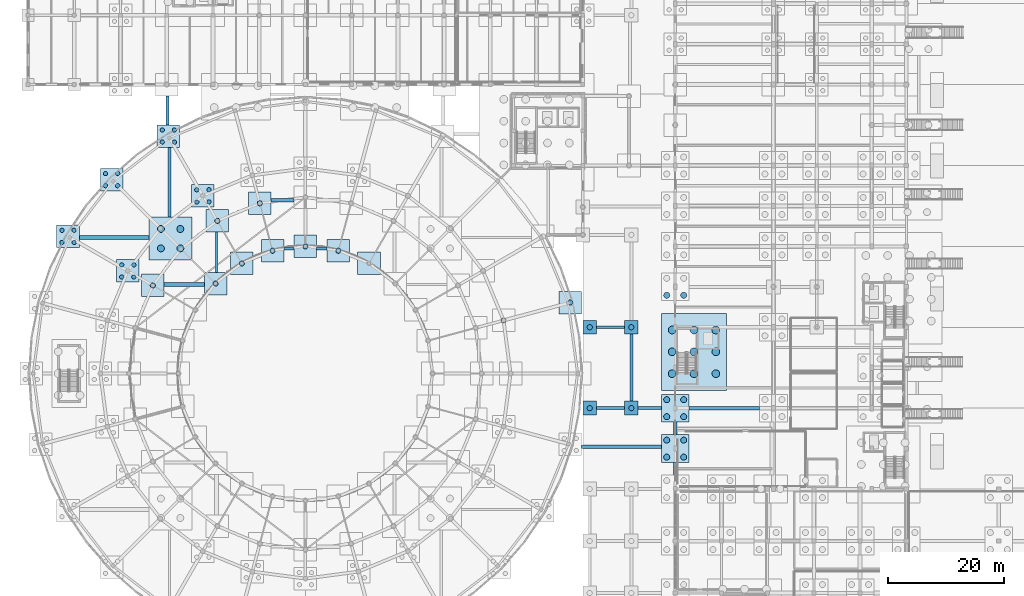
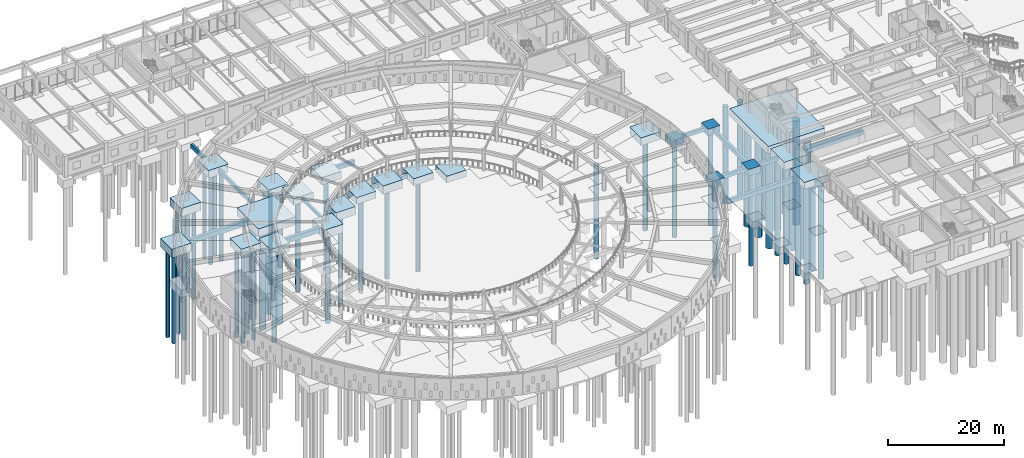
# One storey, part 4 of 84: 57 piles, 39 footings.
"""IFC4 building model written with IfcOpenShell, lengths in metres."""

from ifc_helpers import new_model, si_unit, direction, frame, origin, origin_2d, place, context, subcontext, project, spatial, rectangle, circle, extrude, material, material_profile, profile_set, type_object, element, save


model = new_model("IFC4")

# Units and contexts
model_context = context("Model", 3, precision=1e-05, world=origin(), true_north=direction((0.0, 1.0)))
body_context = subcontext(model_context, "Body", "Model", "MODEL_VIEW")
ifc_project = project(units=[si_unit("LENGTHUNIT", "METRE"), si_unit("AREAUNIT", "SQUARE_METRE"), si_unit("VOLUMEUNIT", "CUBIC_METRE"), si_unit("PLANEANGLEUNIT", "RADIAN"), si_unit("MASSUNIT", "GRAM", prefix="KILO")], contexts=[model_context])

# Site, building, storey
site_placement = place(None, origin())
site = spatial("IfcSite", under=ifc_project, at=site_placement, CompositionType="ELEMENT")
building_placement = place(site_placement, origin())
building = spatial("IfcBuilding", under=site, at=building_placement, Name="Larkveld Mobility Hub", CompositionType="ELEMENT")
storey_placement = place(building_placement, origin())
storey = spatial("IfcBuildingStorey", under=building, at=storey_placement, Name="L00", CompositionType="ELEMENT", Elevation=0.0)

# Footings
ifc_material = material(Name="Concrete C35/45", Category="concrete")
ifc_material_profile_1 = material_profile(ifc_material, rectangle(XDim=0.39990234375, YDim=0.60009765625, at=origin_2d()), Name="RC BM 400x600")
ifc_profile_set_1 = profile_set([ifc_material_profile_1], Name="Concrete C35/45")
footing_type_1 = type_object("IfcFootingType", Name="FT-FB01", PredefinedType="FOOTING_BEAM", material=ifc_profile_set_1)
footing_1_placement = place(storey_placement, frame((32.596923828125, 65.506103515625, -0.64990234375), z_axis=(0.0, 1.0, 0.0), x_axis=(-1.0, 0.0, 0.0)))
element("IfcFooting", 1, at=footing_1_placement, inside=storey, type_object=footing_type_1, Name="Ground Tie Beam GB-115", PredefinedType="FOOTING_BEAM", context=body_context, shape_type="SweptSolid", body=[
    extrude(rectangle(XDim=0.39990234375, YDim=0.60009765625, at=origin_2d()), origin(), (0.0, 0.0, 1.0), 6.9580078125),
])
ifc_material_profile_2 = material_profile(ifc_material, rectangle(XDim=0.449951171875, YDim=0.699951171875, at=origin_2d()), Name="RC BM 450x700")
ifc_profile_set_2 = profile_set([ifc_material_profile_2], Name="Concrete C35/45")
footing_type_2 = type_object("IfcFootingType", Name="FT-FB02", PredefinedType="FOOTING_BEAM", material=ifc_profile_set_2)
footing_2_placement = place(storey_placement, frame((44.256103515625, 69.625, -0.699951171875), z_axis=(1.0, 0.0, 0.0), x_axis=(0.0, 1.0, 0.0)))
element("IfcFooting", 2, at=footing_2_placement, inside=storey, type_object=footing_type_2, Name="Ground Tie Beam GB-038", PredefinedType="FOOTING_BEAM", context=body_context, shape_type="SweptSolid", body=[
    extrude(rectangle(XDim=0.449951171875, YDim=0.699951171875, at=origin_2d()), origin(), (0.0, 0.0, 1.0), 1.7939453125),
])
footing_3_placement = place(storey_placement, frame((24.470947265625, 75.052001953125, -0.699951171875), z_axis=(0.0, 1.0, 0.0), x_axis=(-1.0, 0.0, 0.0)))
element("IfcFooting", 3, at=footing_3_placement, inside=storey, type_object=footing_type_2, Name="Ground Tie Beam GB-110", PredefinedType="FOOTING_BEAM", context=body_context, shape_type="SweptSolid", body=[
    extrude(rectangle(XDim=0.449951171875, YDim=0.699951171875, at=origin_2d()), origin(), (0.0, 0.0, 1.0), 12.091064453125),
])
ifc_material_profile_3 = material_profile(ifc_material, rectangle(XDim=0.5, YDim=0.800048828125, at=origin_2d()), Name="RC BM 500x800")
ifc_profile_set_3 = profile_set([ifc_material_profile_3], Name="Concrete C35/45")
footing_type_3 = type_object("IfcFootingType", Name="FT-FB03", PredefinedType="FOOTING_BEAM", material=ifc_profile_set_3)
footing_4_placement = place(storey_placement, frame((49.949951171875, 69.625, -0.75), z_axis=(1.0, 0.0, 0.0), x_axis=(0.0, 1.0, 0.0)))
element("IfcFooting", 4, at=footing_4_placement, inside=storey, type_object=footing_type_3, Name="Ground Tie Beam GB-039", PredefinedType="FOOTING_BEAM", context=body_context, shape_type="SweptSolid", body=[
    extrude(rectangle(XDim=0.5, YDim=0.800048828125, at=origin_2d()), origin(), (0.0, 0.0, 1.0), 1.7939453125),
])
footing_5_placement = place(storey_placement, frame((24.136962890625, 91.04296875, -0.75), z_axis=(0.0, 1.0, 0.0), x_axis=(-1.0, 0.0, 0.0)))
element("IfcFooting", 5, at=footing_5_placement, inside=storey, type_object=footing_type_3, Name="Ground Tie Beam GB-111", PredefinedType="FOOTING_BEAM", context=body_context, shape_type="SweptSolid", body=[
    extrude(rectangle(XDim=0.5, YDim=0.800048828125, at=origin_2d()), origin(), (0.0, 0.0, 1.0), 5.007080078125),
])
footing_6_placement = place(storey_placement, frame((98.39990234375, 42.0, -0.580078125), z_axis=(1.0, 0.0, 0.0), x_axis=(0.0, 1.0, 0.0)))
element("IfcFooting", 6, at=footing_6_placement, inside=storey, type_object=footing_type_3, Name="Passage Ground Tie Beam PGB-008", PredefinedType="FOOTING_BEAM", context=body_context, shape_type="SweptSolid", body=[
    extrude(rectangle(XDim=0.5, YDim=0.800048828125, at=origin_2d()), origin(), (0.0, 0.0, 1.0), 4.800048828125),
])
footing_7_placement = place(storey_placement, frame((105.60009765625, 42.0, -0.580078125), z_axis=(1.0, 0.0, 0.0), x_axis=(0.0, 1.0, 0.0)))
element("IfcFooting", 7, at=footing_7_placement, inside=storey, type_object=footing_type_3, Name="Passage Ground Tie Beam PGB-009", PredefinedType="FOOTING_BEAM", context=body_context, shape_type="SweptSolid", body=[
    extrude(rectangle(XDim=0.5, YDim=0.800048828125, at=origin_2d()), origin(), (0.0, 0.0, 1.0), 4.0),
])
footing_8_placement = place(storey_placement, frame((98.39990234375, 56.0, -0.580078125), z_axis=(1.0, 0.0, 0.0), x_axis=(0.0, 1.0, 0.0)))
element("IfcFooting", 8, at=footing_8_placement, inside=storey, type_object=footing_type_3, Name="Passage Ground Tie Beam PGB-010", PredefinedType="FOOTING_BEAM", context=body_context, shape_type="SweptSolid", body=[
    extrude(rectangle(XDim=0.5, YDim=0.800048828125, at=origin_2d()), origin(), (0.0, 0.0, 1.0), 4.800048828125),
])
footing_9_placement = place(storey_placement, frame((104.39990234375, 43.199951171875, -0.580078125), z_axis=(0.0, 1.0, 0.0), x_axis=(-1.0, 0.0, 0.0)))
element("IfcFooting", 9, at=footing_9_placement, inside=storey, type_object=footing_type_3, Name="Passage Ground Tie Beam PGB-026", PredefinedType="FOOTING_BEAM", context=body_context, shape_type="SweptSolid", body=[
    extrude(rectangle(XDim=0.5, YDim=0.800048828125, at=origin_2d()), origin(), (0.0, 0.0, 1.0), 11.60009765625),
])
ifc_material_profile_4 = material_profile(ifc_material, rectangle(XDim=0.60009765625, YDim=0.89990234375, at=origin_2d()), Name="RC BM 600x900")
ifc_profile_set_4 = profile_set([ifc_material_profile_4], Name="Concrete C35/45")
footing_type_4 = type_object("IfcFootingType", Name="FT-FB05", PredefinedType="FOOTING_BEAM", material=ifc_profile_set_4)
footing_10_placement = place(storey_placement, frame((95.782958984375, 35.35888671875, -0.800048828125), z_axis=(1.0, 0.0, 0.0), x_axis=(0.0, 1.0, 0.0)))
element("IfcFooting", 10, at=footing_10_placement, inside=storey, type_object=footing_type_4, Name="Ground Tie Beam GB-029", PredefinedType="FOOTING_BEAM", context=body_context, shape_type="SweptSolid", body=[
    extrude(rectangle(XDim=0.60009765625, YDim=0.89990234375, at=origin_2d()), origin(), (0.0, 0.0, 1.0), 13.817138671875),
])
footing_11_placement = place(storey_placement, frame((42.055908203125, 77.98095703125, -0.800048828125), z_axis=(1.0, 0.0, 0.0), x_axis=(0.0, 1.0, 0.0)))
element("IfcFooting", 11, at=footing_11_placement, inside=storey, type_object=footing_type_4, Name="Ground Tie Beam GB-047", PredefinedType="FOOTING_BEAM", context=body_context, shape_type="SweptSolid", body=[
    extrude(rectangle(XDim=0.60009765625, YDim=0.89990234375, at=origin_2d()), origin(), (0.0, 0.0, 1.0), 3.994140625),
])
footing_12_placement = place(storey_placement, frame((112.0, 30.39990234375, -0.800048828125), z_axis=(0.0, 1.0, 0.0), x_axis=(-1.0, 0.0, 0.0)))
element("IfcFooting", 12, at=footing_12_placement, inside=storey, type_object=footing_type_4, Name="Ground Tie Beam GB-143", PredefinedType="FOOTING_BEAM", context=body_context, shape_type="SweptSolid", body=[
    extrude(rectangle(XDim=0.60009765625, YDim=0.89990234375, at=origin_2d()), origin(), (0.0, 0.0, 1.0), 2.2001953125),
])
ifc_material_profile_5 = material_profile(ifc_material, rectangle(XDim=0.64990234375, YDim=1.0, at=origin_2d()), Name="RC BM 650x1000")
ifc_profile_set_5 = profile_set([ifc_material_profile_5], Name="Concrete C35/45")
footing_type_5 = type_object("IfcFootingType", Name="FT-FB06", PredefinedType="FOOTING_BEAM", material=ifc_profile_set_5)
footing_13_placement = place(storey_placement, frame((114.39990234375, 42.0, -0.85009765625), z_axis=(1.0, 0.0, 0.0), x_axis=(0.0, 1.0, 0.0)))
element("IfcFooting", 13, at=footing_13_placement, inside=storey, type_object=footing_type_5, Name="Ground Tie Beam GB-030", PredefinedType="FOOTING_BEAM", context=body_context, shape_type="SweptSolid", body=[
    extrude(rectangle(XDim=0.64990234375, YDim=1.0, at=origin_2d()), origin(), (0.0, 0.0, 1.0), 12.2001953125),
])
footing_14_placement = place(storey_placement, frame((23.535888671875, 63.403076171875, -0.85009765625), z_axis=(1.0, 0.0, 0.0), x_axis=(0.0, 1.0, 0.0)))
element("IfcFooting", 14, at=footing_14_placement, inside=storey, type_object=footing_type_5, Name="Ground Tie Beam GB-036", PredefinedType="FOOTING_BEAM", context=body_context, shape_type="SweptSolid", body=[
    extrude(rectangle(XDim=0.64990234375, YDim=1.0, at=origin_2d()), origin(), (0.0, 0.0, 1.0), 6.9580078125),
])
footing_15_placement = place(storey_placement, frame((8.85693359375, 71.529052734375, -0.85009765625), z_axis=(1.0, 0.0, 0.0), x_axis=(0.0, 1.0, 0.0)))
element("IfcFooting", 15, at=footing_15_placement, inside=storey, type_object=footing_type_5, Name="Ground Tie Beam GB-042", PredefinedType="FOOTING_BEAM", context=body_context, shape_type="SweptSolid", body=[
    extrude(rectangle(XDim=0.64990234375, YDim=1.0, at=origin_2d()), origin(), (0.0, 0.0, 1.0), 12.091064453125),
])
footing_16_placement = place(storey_placement, frame((112.0, 37.39990234375, -0.85009765625), z_axis=(0.0, 1.0, 0.0), x_axis=(-1.0, 0.0, 0.0)))
element("IfcFooting", 16, at=footing_16_placement, inside=storey, type_object=footing_type_5, Name="Ground Tie Beam GB-144", PredefinedType="FOOTING_BEAM", context=body_context, shape_type="SweptSolid", body=[
    extrude(rectangle(XDim=0.64990234375, YDim=1.0, at=origin_2d()), origin(), (0.0, 0.0, 1.0), 2.2001953125),
])
footing_type_6 = type_object("IfcFootingType", Name="FT-PC01", PredefinedType="PILE_CAP", material=ifc_material)
footing_17_placement = place(storey_placement, frame((59.0, 67.052978515625, -1.39990234375), z_axis=(0.0, 0.0, 1.0), x_axis=(1.0, 0.0, 0.0)))
element("IfcFooting", 17, at=footing_17_placement, inside=storey, type_object=footing_type_6, Name="Pile Cap PC-113", PredefinedType="PILE_CAP", context=body_context, shape_type="SweptSolid", body=[
    extrude(rectangle(XDim=3.89990234375, YDim=3.89990234375, at=origin_2d()), origin(), (0.0, 0.0, 1.0), 1.39990234375),
])
footing_type_7 = type_object("IfcFootingType", Name="FT-PC02", PredefinedType="PILE_CAP", material=ifc_material)
footing_18_placement = place(storey_placement, frame((42.305908203125, 69.25, -1.4501953125), z_axis=(0.0, 0.0, 1.0), x_axis=(1.0, 0.0, 0.0)))
element("IfcFooting", 18, at=footing_18_placement, inside=storey, type_object=footing_type_7, Name="Pile Cap PC-114", PredefinedType="PILE_CAP", context=body_context, shape_type="SweptSolid", body=[
    extrude(rectangle(XDim=3.89990234375, YDim=3.89990234375, at=origin_2d()), origin(), (0.0, 0.0, 1.0), 1.449951171875),
])
footing_type_8 = type_object("IfcFootingType", Name="FT-PC03", PredefinedType="PILE_CAP", material=ifc_material)
footing_19_placement = place(storey_placement, frame((53.694091796875, 69.25, -1.5), z_axis=(0.0, 0.0, 1.0), x_axis=(1.0, 0.0, 0.0)))
element("IfcFooting", 19, at=footing_19_placement, inside=storey, type_object=footing_type_8, Name="Pile Cap PC-115", PredefinedType="PILE_CAP", context=body_context, shape_type="SweptSolid", body=[
    extrude(rectangle(XDim=3.89990234375, YDim=3.89990234375, at=origin_2d()), origin(), (0.0, 0.0, 1.0), 1.5),
])
footing_type_9 = type_object("IfcFootingType", Name="FT-PC04", PredefinedType="PILE_CAP", material=ifc_material)
footing_20_placement = place(storey_placement, frame((40.10595703125, 77.4609375, -1.5498046875), z_axis=(0.0, 0.0, 1.0), x_axis=(1.0, 0.0, 0.0)))
element("IfcFooting", 20, at=footing_20_placement, inside=storey, type_object=footing_type_9, Name="Pile Cap PC-132", PredefinedType="PILE_CAP", context=body_context, shape_type="SweptSolid", body=[
    extrude(rectangle(XDim=3.89990234375, YDim=3.89990234375, at=origin_2d()), origin(), (0.0, 0.0, 1.0), 1.550048828125),
])
footing_type_10 = type_object("IfcFootingType", Name="FT-PC06", PredefinedType="PILE_CAP", material=ifc_material)
footing_21_placement = place(storey_placement, frame((24.27490234375, 89.093017578125, -1.60009765625), z_axis=(0.0, 0.0, 1.0), x_axis=(1.0, 0.0, 0.0)))
element("IfcFooting", 21, at=footing_21_placement, inside=storey, type_object=footing_type_10, Name="Pile Cap PC-150", PredefinedType="PILE_CAP", context=body_context, shape_type="SweptSolid", body=[
    extrude(rectangle(XDim=3.89990234375, YDim=3.89990234375, at=origin_2d()), origin(), (0.0, 0.0, 1.0), 1.60009765625),
])
footing_type_11 = type_object("IfcFootingType", Name="FT-PC07", PredefinedType="PILE_CAP", material=ifc_material)
footing_22_placement = place(storey_placement, frame((93.8330078125, 60.281005859375, -1.64990234375), z_axis=(0.0, 0.0, 1.0), x_axis=(1.0, 0.0, 0.0)))
element("IfcFooting", 22, at=footing_22_placement, inside=storey, type_object=footing_type_11, Name="Pile Cap PC-103", PredefinedType="PILE_CAP", context=body_context, shape_type="SweptSolid", body=[
    extrude(rectangle(XDim=3.89990234375, YDim=3.89990234375, at=origin_2d()), origin(), (0.0, 0.0, 1.0), 1.64990234375),
])
footing_23_placement = place(storey_placement, frame((24.666015625, 71.333984375, -1.64990234375), z_axis=(0.0, 0.0, 1.0), x_axis=(1.0, 0.0, 0.0)))
element("IfcFooting", 23, at=footing_23_placement, inside=storey, type_object=footing_type_11, Name="Pile Cap PC-119", PredefinedType="PILE_CAP", context=body_context, shape_type="SweptSolid", body=[
    extrude(rectangle(XDim=7.43505859375, YDim=7.43505859375, at=origin_2d()), origin(), (0.0, 0.0, 1.0), 1.64990234375),
])
footing_type_12 = type_object("IfcFootingType", Name="FT-PC08", PredefinedType="PILE_CAP", material=ifc_material)
footing_24_placement = place(storey_placement, frame((112.0, 42.0, -1.7001953125), z_axis=(0.0, 0.0, 1.0), x_axis=(1.0, 0.0, 0.0)))
element("IfcFooting", 24, at=footing_24_placement, inside=storey, type_object=footing_type_12, Name="Pile Cap PC-072", PredefinedType="PILE_CAP", context=body_context, shape_type="SweptSolid", body=[
    extrude(rectangle(XDim=4.800048828125, YDim=4.800048828125, at=origin_2d()), origin(), (0.0, 0.0, 1.0), 1.699951171875),
])
footing_25_placement = place(storey_placement, frame((30.25, 78.743896484375, -1.7001953125), z_axis=(0.0, 0.0, 1.0), x_axis=(1.0, 0.0, 0.0)))
element("IfcFooting", 25, at=footing_25_placement, inside=storey, type_object=footing_type_12, Name="Pile Cap PC-136", PredefinedType="PILE_CAP", context=body_context, shape_type="SweptSolid", body=[
    extrude(rectangle(XDim=3.89990234375, YDim=3.89990234375, at=origin_2d()), origin(), (0.0, 0.0, 1.0), 1.699951171875),
])
footing_type_13 = type_object("IfcFootingType", Name="FT-PC09", PredefinedType="PILE_CAP", material=ifc_material)
for number, where, z_axis, x_axis, name in (
    (26, (21.5859375, 63.25, -1.75), (0.0, 0.0, 1.0), (1.0, 0.0, 0.0), "Pile Cap PC-105"),
    (27, (48.0, 70.0, -1.75), (0.0, 0.0, 1.0), (1.0, 0.0, 0.0), "Pile Cap PC-121"),
):
    element("IfcFooting", number, at=place(storey_placement, frame(where, z_axis=z_axis, x_axis=x_axis)), inside=storey, type_object=footing_type_13, Name=name, PredefinedType="PILE_CAP", context=body_context, shape_type="SweptSolid", body=[
        extrude(rectangle(XDim=3.89990234375, YDim=3.89990234375, at=origin_2d()), origin(), (0.0, 0.0, 1.0), 1.75),
    ])
footing_type_14 = type_object("IfcFootingType", Name="FT-PC10", PredefinedType="PILE_CAP", material=ifc_material)
footing_26_placement = place(storey_placement, frame((14.447998046875, 81.552001953125, -1.75), z_axis=(0.0, 0.0, 1.0), x_axis=(1.0, 0.0, 0.0)))
element("IfcFooting", 28, at=footing_26_placement, inside=storey, type_object=footing_type_14, Name="Pile Cap PC-138", PredefinedType="PILE_CAP", context=body_context, shape_type="SweptSolid", body=[
    extrude(rectangle(XDim=3.89990234375, YDim=3.89990234375, at=origin_2d()), origin(), (0.0, 0.0, 1.0), 1.75),
])
footing_type_15 = type_object("IfcFootingType", Name="FT-PC11", PredefinedType="PILE_CAP", material=ifc_material)
for number, where, z_axis, x_axis, name in (
    (29, (32.444091796875, 63.555908203125, -1.7998046875), (0.0, 0.0, 1.0), (1.0, 0.0, 0.0), "Pile Cap PC-107"),
    (30, (6.906982421875, 71.72509765625, -1.7998046875), (0.0, 0.0, 1.0), (1.0, 0.0, 0.0), "Pile Cap PC-123"),
):
    element("IfcFooting", number, at=place(storey_placement, frame(where, z_axis=z_axis, x_axis=x_axis)), inside=storey, type_object=footing_type_15, Name=name, PredefinedType="PILE_CAP", context=body_context, shape_type="SweptSolid", body=[
        extrude(rectangle(XDim=3.89990234375, YDim=3.89990234375, at=origin_2d()), origin(), (0.0, 0.0, 1.0), 1.800048828125),
    ])
footing_type_16 = type_object("IfcFootingType", Name="FT-PC13", PredefinedType="PILE_CAP", material=ifc_material)
footing_27_placement = place(storey_placement, frame((112.0, 35.0, -1.419921875), z_axis=(0.0, 0.0, 1.0), x_axis=(1.0, 0.0, 0.0)))
element("IfcFooting", 31, at=footing_27_placement, inside=storey, type_object=footing_type_16, Name="Pile Cap PC-061", PredefinedType="PILE_CAP", context=body_context, shape_type="SweptSolid", body=[
    extrude(rectangle(XDim=4.800048828125, YDim=4.800048828125, at=origin_2d()), origin(), (0.0, 0.0, 1.0), 1.419921875),
])
footing_28_placement = place(storey_placement, frame((32.75, 74.4140625, -1.419921875), z_axis=(0.0, 0.0, 1.0), x_axis=(1.0, 0.0, 0.0)))
element("IfcFooting", 32, at=footing_28_placement, inside=storey, type_object=footing_type_16, Name="Pile Cap PC-125", PredefinedType="PILE_CAP", context=body_context, shape_type="SweptSolid", body=[
    extrude(rectangle(XDim=3.89990234375, YDim=3.89990234375, at=origin_2d()), origin(), (0.0, 0.0, 1.0), 1.419921875),
])
for number, where, z_axis, x_axis, name in (
    (33, (97.199951171875, 42.0, -1.419921875), (0.0, 0.0, 1.0), (1.0, 0.0, 0.0), "Plinth Pile Cap PC-DL14"),
    (34, (104.39990234375, 42.0, -1.419921875), (0.0, 0.0, 1.0), (1.0, 0.0, 0.0), "Plinth Pile Cap PC-DL15"),
    (35, (97.199951171875, 56.0, -1.419921875), (0.0, 0.0, 1.0), (1.0, 0.0, 0.0), "Plinth Pile Cap PC-DL16"),
    (36, (104.39990234375, 56.0, -1.419921875), (0.0, 0.0, 1.0), (1.0, 0.0, 0.0), "Plinth Pile Cap PC-DL17"),
):
    element("IfcFooting", number, at=place(storey_placement, frame(where, z_axis=z_axis, x_axis=x_axis)), inside=storey, type_object=footing_type_16, Name=name, PredefinedType="PILE_CAP", context=body_context, shape_type="SweptSolid", body=[
        extrude(rectangle(XDim=2.39990234375, YDim=2.39990234375, at=origin_2d()), origin(), (0.0, 0.0, 1.0), 1.419921875),
    ])
footing_type_17 = type_object("IfcFootingType", Name="FT-PC14", PredefinedType="PILE_CAP", material=ifc_material)
footing_29_placement = place(storey_placement, frame((17.256103515625, 65.75, -1.47998046875), z_axis=(0.0, 0.0, 1.0), x_axis=(1.0, 0.0, 0.0)))
element("IfcFooting", 37, at=footing_29_placement, inside=storey, type_object=footing_type_17, Name="Pile Cap PC-110", PredefinedType="PILE_CAP", context=body_context, shape_type="SweptSolid", body=[
    extrude(rectangle(XDim=3.89990234375, YDim=3.89990234375, at=origin_2d()), origin(), (0.0, 0.0, 1.0), 1.47998046875),
])
footing_type_18 = type_object("IfcFootingType", Name="FT-PC15", PredefinedType="PILE_CAP", material=ifc_material)
footing_30_placement = place(storey_placement, frame((115.25, 51.75, -1.6201171875), z_axis=(0.0, 0.0, 1.0), x_axis=(1.0, 0.0, 0.0)))
element("IfcFooting", 38, at=footing_30_placement, inside=storey, type_object=footing_type_18, Name="Pile Cap PC-079", PredefinedType="PILE_CAP", context=body_context, shape_type="SweptSolid", body=[
    extrude(rectangle(XDim=11.300048828125, YDim=13.300048828125, at=origin_2d()), origin(), (0.0, 0.0, 1.0), 1.6201171875),
])
footing_type_19 = type_object("IfcFootingType", Name="FT-PC16", PredefinedType="PILE_CAP", material=ifc_material)
footing_31_placement = place(storey_placement, frame((37.0, 67.052978515625, -1.72021484375), z_axis=(0.0, 0.0, 1.0), x_axis=(1.0, 0.0, 0.0)))
element("IfcFooting", 39, at=footing_31_placement, inside=storey, type_object=footing_type_19, Name="Pile Cap PC-112", PredefinedType="PILE_CAP", context=body_context, shape_type="SweptSolid", body=[
    extrude(rectangle(XDim=3.89990234375, YDim=3.89990234375, at=origin_2d()), origin(), (0.0, 0.0, 1.0), 1.719970703125),
])

# Piles
ifc_material_profile_6 = material_profile(ifc_material, circle(Radius=0.375, at=origin_2d()), Name="PILE D750")
ifc_profile_set_6 = profile_set([ifc_material_profile_6], Name="Concrete C35/45")
pile_type_1 = type_object("IfcPileType", Name="PL-B0750", PredefinedType="BORED", material=ifc_profile_set_6)
for number, where, z_axis, x_axis, name in (
    (40, (16.2060546875, 64.699951171875, -1.3798828125), (0.0, 0.0, -1.0), (1.0, 0.0, 0.0), "Bored Pile P-0319"),
    (41, (16.2060546875, 66.800048828125, -1.3798828125), (0.0, 0.0, -1.0), (1.0, 0.0, 0.0), "Bored Pile P-0320"),
    (42, (18.305908203125, 64.699951171875, -1.3798828125), (0.0, 0.0, -1.0), (1.0, 0.0, 0.0), "Bored Pile P-0321"),
    (43, (18.305908203125, 66.800048828125, -1.3798828125), (0.0, 0.0, -1.0), (1.0, 0.0, 0.0), "Bored Pile P-0322"),
):
    element("IfcPile", number, at=place(storey_placement, frame(where, z_axis=z_axis, x_axis=x_axis)), inside=storey, type_object=pile_type_1, Name=name, PredefinedType="BORED", context=body_context, shape_type="SweptSolid", body=[
        extrude(circle(Radius=0.375, at=origin_2d()), origin(), (0.0, 0.0, 1.0), 19.1201171875),
    ])
for number, where, z_axis, x_axis, name in (
    (44, (5.85693359375, 70.675048828125, -1.699951171875), (0.0, 0.0, -1.0), (1.0, 0.0, 0.0), "Bored Pile P-0350"),
    (45, (5.85693359375, 72.77490234375, -1.699951171875), (0.0, 0.0, -1.0), (1.0, 0.0, 0.0), "Bored Pile P-0351"),
    (46, (7.95703125, 70.675048828125, -1.699951171875), (0.0, 0.0, -1.0), (1.0, 0.0, 0.0), "Bored Pile P-0352"),
    (47, (7.95703125, 72.77490234375, -1.699951171875), (0.0, 0.0, -1.0), (1.0, 0.0, 0.0), "Bored Pile P-0353"),
):
    element("IfcPile", number, at=place(storey_placement, frame(where, z_axis=z_axis, x_axis=x_axis)), inside=storey, type_object=pile_type_1, Name=name, PredefinedType="BORED", context=body_context, shape_type="SweptSolid", body=[
        extrude(circle(Radius=0.375, at=origin_2d()), origin(), (0.0, 0.0, 1.0), 18.800048828125),
    ])
for number, where, z_axis, x_axis, name in (
    (48, (29.199951171875, 77.694091796875, -1.60009765625), (0.0, 0.0, -1.0), (1.0, 0.0, 0.0), "Bored Pile P-0381"),
    (49, (29.199951171875, 79.7939453125, -1.60009765625), (0.0, 0.0, -1.0), (1.0, 0.0, 0.0), "Bored Pile P-0382"),
    (50, (31.300048828125, 77.694091796875, -1.60009765625), (0.0, 0.0, -1.0), (1.0, 0.0, 0.0), "Bored Pile P-0383"),
    (51, (31.300048828125, 79.7939453125, -1.60009765625), (0.0, 0.0, -1.0), (1.0, 0.0, 0.0), "Bored Pile P-0384"),
):
    element("IfcPile", number, at=place(storey_placement, frame(where, z_axis=z_axis, x_axis=x_axis)), inside=storey, type_object=pile_type_1, Name=name, PredefinedType="BORED", context=body_context, shape_type="SweptSolid", body=[
        extrude(circle(Radius=0.375, at=origin_2d()), origin(), (0.0, 0.0, 1.0), 18.89990234375),
    ])
for number, where, z_axis, x_axis, name in (
    (52, (13.39794921875, 80.501953125, -1.64990234375), (0.0, 0.0, -1.0), (1.0, 0.0, 0.0), "Bored Pile P-0386"),
    (53, (13.39794921875, 82.60205078125, -1.64990234375), (0.0, 0.0, -1.0), (1.0, 0.0, 0.0), "Bored Pile P-0387"),
    (54, (15.498046875, 80.501953125, -1.64990234375), (0.0, 0.0, -1.0), (1.0, 0.0, 0.0), "Bored Pile P-0388"),
    (55, (15.498046875, 82.60205078125, -1.64990234375), (0.0, 0.0, -1.0), (1.0, 0.0, 0.0), "Bored Pile P-0389"),
):
    element("IfcPile", number, at=place(storey_placement, frame(where, z_axis=z_axis, x_axis=x_axis)), inside=storey, type_object=pile_type_1, Name=name, PredefinedType="BORED", context=body_context, shape_type="SweptSolid", body=[
        extrude(circle(Radius=0.375, at=origin_2d()), origin(), (0.0, 0.0, 1.0), 18.85009765625),
    ])
for number, where, z_axis, x_axis, name in (
    (56, (23.22509765625, 88.04296875, -1.5), (0.0, 0.0, -1.0), (1.0, 0.0, 0.0), "Bored Pile P-0440"),
    (57, (23.22509765625, 90.14306640625, -1.5), (0.0, 0.0, -1.0), (1.0, 0.0, 0.0), "Bored Pile P-0441"),
    (58, (25.324951171875, 88.04296875, -1.5), (0.0, 0.0, -1.0), (1.0, 0.0, 0.0), "Bored Pile P-0442"),
    (59, (25.324951171875, 90.14306640625, -1.5), (0.0, 0.0, -1.0), (1.0, 0.0, 0.0), "Bored Pile P-0443"),
):
    element("IfcPile", number, at=place(storey_placement, frame(where, z_axis=z_axis, x_axis=x_axis)), inside=storey, type_object=pile_type_1, Name=name, PredefinedType="BORED", context=body_context, shape_type="SweptSolid", body=[
        extrude(circle(Radius=0.375, at=origin_2d()), origin(), (0.0, 0.0, 1.0), 19.0),
    ])
ifc_material_profile_7 = material_profile(ifc_material, circle(Radius=0.449951171875, at=origin_2d()), Name="PILE D900")
ifc_profile_set_7 = profile_set([ifc_material_profile_7], Name="Concrete C35/45")
pile_type_2 = type_object("IfcPileType", Name="PL-B0900", PredefinedType="BORED", material=ifc_profile_set_7)
pile_1_placement = place(storey_placement, frame((82.2900390625, 57.18798828125, -1.39990234375), z_axis=(0.0, 0.0, -1.0), x_axis=(1.0, 0.0, 0.0)))
element("IfcPile", 60, at=pile_1_placement, inside=storey, type_object=pile_type_2, Name="Bored Pile P-0302", PredefinedType="BORED", context=body_context, shape_type="SweptSolid", body=[
    extrude(circle(Radius=0.449951171875, at=origin_2d()), origin(), (0.0, 0.0, 1.0), 19.800048828125),
])
pile_2_placement = place(storey_placement, frame((93.8330078125, 60.281005859375, -1.550048828125), z_axis=(0.0, 0.0, -1.0), x_axis=(1.0, 0.0, 0.0)))
element("IfcPile", 61, at=pile_2_placement, inside=storey, type_object=pile_type_2, Name="Bored Pile P-0309", PredefinedType="BORED", context=body_context, shape_type="SweptSolid", body=[
    extrude(circle(Radius=0.449951171875, at=origin_2d()), origin(), (0.0, 0.0, 1.0), 19.64990234375),
])
pile_3_placement = place(storey_placement, frame((21.5859375, 63.25, -1.64990234375), z_axis=(0.0, 0.0, -1.0), x_axis=(1.0, 0.0, 0.0)))
element("IfcPile", 62, at=pile_3_placement, inside=storey, type_object=pile_type_2, Name="Bored Pile P-0314", PredefinedType="BORED", context=body_context, shape_type="SweptSolid", body=[
    extrude(circle(Radius=0.449951171875, at=origin_2d()), origin(), (0.0, 0.0, 1.0), 19.550048828125),
])
pile_4_placement = place(storey_placement, frame((32.444091796875, 63.555908203125, -1.699951171875), z_axis=(0.0, 0.0, -1.0), x_axis=(1.0, 0.0, 0.0)))
element("IfcPile", 63, at=pile_4_placement, inside=storey, type_object=pile_type_2, Name="Bored Pile P-0316", PredefinedType="BORED", context=body_context, shape_type="SweptSolid", body=[
    extrude(circle(Radius=0.449951171875, at=origin_2d()), origin(), (0.0, 0.0, 1.0), 19.5),
])
pile_5_placement = place(storey_placement, frame((37.0, 67.052978515625, -1.6201171875), z_axis=(0.0, 0.0, -1.0), x_axis=(1.0, 0.0, 0.0)))
element("IfcPile", 64, at=pile_5_placement, inside=storey, type_object=pile_type_2, Name="Bored Pile P-0324", PredefinedType="BORED", context=body_context, shape_type="SweptSolid", body=[
    extrude(circle(Radius=0.449951171875, at=origin_2d()), origin(), (0.0, 0.0, 1.0), 19.580078125),
])
pile_6_placement = place(storey_placement, frame((42.305908203125, 69.25, -1.35009765625), z_axis=(0.0, 0.0, -1.0), x_axis=(1.0, 0.0, 0.0)))
element("IfcPile", 65, at=pile_6_placement, inside=storey, type_object=pile_type_2, Name="Bored Pile P-0326", PredefinedType="BORED", context=body_context, shape_type="SweptSolid", body=[
    extrude(circle(Radius=0.449951171875, at=origin_2d()), origin(), (0.0, 0.0, 1.0), 19.85009765625),
])
pile_7_placement = place(storey_placement, frame((53.694091796875, 69.25, -1.39990234375), z_axis=(0.0, 0.0, -1.0), x_axis=(1.0, 0.0, 0.0)))
element("IfcPile", 66, at=pile_7_placement, inside=storey, type_object=pile_type_2, Name="Bored Pile P-0327", PredefinedType="BORED", context=body_context, shape_type="SweptSolid", body=[
    extrude(circle(Radius=0.449951171875, at=origin_2d()), origin(), (0.0, 0.0, 1.0), 19.800048828125),
])
pile_8_placement = place(storey_placement, frame((48.0, 70.0, -1.64990234375), z_axis=(0.0, 0.0, -1.0), x_axis=(1.0, 0.0, 0.0)))
element("IfcPile", 67, at=pile_8_placement, inside=storey, type_object=pile_type_2, Name="Bored Pile P-0348", PredefinedType="BORED", context=body_context, shape_type="SweptSolid", body=[
    extrude(circle(Radius=0.449951171875, at=origin_2d()), origin(), (0.0, 0.0, 1.0), 19.550048828125),
])
pile_9_placement = place(storey_placement, frame((32.75, 74.4140625, -1.320068359375), z_axis=(0.0, 0.0, -1.0), x_axis=(1.0, 0.0, 0.0)))
element("IfcPile", 68, at=pile_9_placement, inside=storey, type_object=pile_type_2, Name="Bored Pile P-0355", PredefinedType="BORED", context=body_context, shape_type="SweptSolid", body=[
    extrude(circle(Radius=0.449951171875, at=origin_2d()), origin(), (0.0, 0.0, 1.0), 19.8798828125),
])
pile_10_placement = place(storey_placement, frame((40.10595703125, 77.4609375, -1.449951171875), z_axis=(0.0, 0.0, -1.0), x_axis=(1.0, 0.0, 0.0)))
element("IfcPile", 69, at=pile_10_placement, inside=storey, type_object=pile_type_2, Name="Bored Pile P-0377", PredefinedType="BORED", context=body_context, shape_type="SweptSolid", body=[
    extrude(circle(Radius=0.449951171875, at=origin_2d()), origin(), (0.0, 0.0, 1.0), 19.75),
])
for number, where, z_axis, x_axis, name in (
    (70, (97.199951171875, 42.0, -1.320068359375), (0.0, 0.0, -1.0), (1.0, 0.0, 0.0), "Bored Pile P-DL14"),
    (71, (104.39990234375, 42.0, -1.320068359375), (0.0, 0.0, -1.0), (1.0, 0.0, 0.0), "Bored Pile P-DL15"),
    (72, (97.199951171875, 56.0, -1.320068359375), (0.0, 0.0, -1.0), (1.0, 0.0, 0.0), "Bored Pile P-DL16"),
    (73, (104.39990234375, 56.0, -1.320068359375), (0.0, 0.0, -1.0), (1.0, 0.0, 0.0), "Bored Pile P-DL17"),
):
    element("IfcPile", number, at=place(storey_placement, frame(where, z_axis=z_axis, x_axis=x_axis)), inside=storey, type_object=pile_type_2, Name=name, PredefinedType="BORED", context=body_context, shape_type="SweptSolid", body=[
        extrude(circle(Radius=0.449951171875, at=origin_2d()), origin(), (0.0, 0.0, 1.0), 19.8798828125),
    ])
ifc_material_profile_8 = material_profile(ifc_material, circle(Radius=0.52490234375, at=origin_2d()), Name="PILE D1050")
ifc_profile_set_8 = profile_set([ifc_material_profile_8], Name="Concrete C35/45")
pile_type_3 = type_object("IfcPileType", Name="PL-B1050", PredefinedType="BORED", material=ifc_profile_set_8)
for number, where, z_axis, x_axis, name in (
    (74, (110.530029296875, 33.530029296875, -1.320068359375), (0.0, 0.0, -1.0), (1.0, 0.0, 0.0), "Bored Pile P-0195"),
    (75, (110.530029296875, 36.469970703125, -1.320068359375), (0.0, 0.0, -1.0), (1.0, 0.0, 0.0), "Bored Pile P-0196"),
    (76, (113.469970703125, 33.530029296875, -1.320068359375), (0.0, 0.0, -1.0), (1.0, 0.0, 0.0), "Bored Pile P-0197"),
    (77, (113.469970703125, 36.469970703125, -1.320068359375), (0.0, 0.0, -1.0), (1.0, 0.0, 0.0), "Bored Pile P-0198"),
):
    element("IfcPile", number, at=place(storey_placement, frame(where, z_axis=z_axis, x_axis=x_axis)), inside=storey, type_object=pile_type_3, Name=name, PredefinedType="BORED", context=body_context, shape_type="SweptSolid", body=[
        extrude(circle(Radius=0.52490234375, at=origin_2d()), origin(), (0.0, 0.0, 1.0), 20.679931640625),
    ])
for number, where, z_axis, x_axis, name in (
    (78, (110.530029296875, 40.530029296875, -1.60009765625), (0.0, 0.0, -1.0), (1.0, 0.0, 0.0), "Bored Pile P-0222"),
    (79, (110.530029296875, 43.469970703125, -1.60009765625), (0.0, 0.0, -1.0), (1.0, 0.0, 0.0), "Bored Pile P-0223"),
    (80, (113.469970703125, 40.530029296875, -1.60009765625), (0.0, 0.0, -1.0), (1.0, 0.0, 0.0), "Bored Pile P-0224"),
    (81, (113.469970703125, 43.469970703125, -1.60009765625), (0.0, 0.0, -1.0), (1.0, 0.0, 0.0), "Bored Pile P-0225"),
    (82, (110.530029296875, 61.530029296875, -1.60009765625), (0.0, 0.0, -1.0), (1.0, 0.0, 0.0), "Bored Pile P-0310"),
    (83, (113.469970703125, 61.530029296875, -1.60009765625), (0.0, 0.0, -1.0), (1.0, 0.0, 0.0), "Bored Pile P-0312"),
):
    element("IfcPile", number, at=place(storey_placement, frame(where, z_axis=z_axis, x_axis=x_axis)), inside=storey, type_object=pile_type_3, Name=name, PredefinedType="BORED", context=body_context, shape_type="SweptSolid", body=[
        extrude(circle(Radius=0.52490234375, at=origin_2d()), origin(), (0.0, 0.0, 1.0), 20.39990234375),
    ])
ifc_material_profile_9 = material_profile(ifc_material, circle(Radius=0.60009765625, at=origin_2d()), Name="PILE D1200")
ifc_profile_set_9 = profile_set([ifc_material_profile_9], Name="Concrete C35/45")
pile_type_4 = type_object("IfcPileType", Name="PL-B1200", PredefinedType="BORED", material=ifc_profile_set_9)
for number, where, z_axis, x_axis, name in (
    (84, (22.986083984375, 69.654052734375, -1.550048828125), (0.0, 0.0, -1.0), (1.0, 0.0, 0.0), "Bored Pile P-0340"),
    (85, (22.986083984375, 73.013916015625, -1.550048828125), (0.0, 0.0, -1.0), (1.0, 0.0, 0.0), "Bored Pile P-0341"),
    (86, (26.345947265625, 69.654052734375, -1.550048828125), (0.0, 0.0, -1.0), (1.0, 0.0, 0.0), "Bored Pile P-0342"),
    (87, (26.345947265625, 73.013916015625, -1.550048828125), (0.0, 0.0, -1.0), (1.0, 0.0, 0.0), "Bored Pile P-0343"),
):
    element("IfcPile", number, at=place(storey_placement, frame(where, z_axis=z_axis, x_axis=x_axis)), inside=storey, type_object=pile_type_4, Name=name, PredefinedType="BORED", context=body_context, shape_type="SweptSolid", body=[
        extrude(circle(Radius=0.60009765625, at=origin_2d()), origin(), (0.0, 0.0, 1.0), 21.25),
    ])
ifc_material_profile_10 = material_profile(ifc_material, circle(Radius=0.675048828125, at=origin_2d()), Name="PILE D1350")
ifc_profile_set_10 = profile_set([ifc_material_profile_10], Name="Concrete C35/45")
pile_type_5 = type_object("IfcPileType", Name="PL-B1350", PredefinedType="BORED", material=ifc_profile_set_10)
for number, where, z_axis, x_axis, name in (
    (88, (111.469970703125, 47.969970703125, -1.52001953125), (0.0, 0.0, -1.0), (1.0, 0.0, 0.0), "Bored Pile P-0243"),
    (89, (111.469970703125, 51.75, -1.52001953125), (0.0, 0.0, -1.0), (1.0, 0.0, 0.0), "Bored Pile P-0244"),
    (90, (111.469970703125, 55.530029296875, -1.52001953125), (0.0, 0.0, -1.0), (1.0, 0.0, 0.0), "Bored Pile P-0245"),
    (91, (115.25, 47.969970703125, -1.52001953125), (0.0, 0.0, -1.0), (1.0, 0.0, 0.0), "Bored Pile P-0246"),
    (92, (115.25, 51.75, -1.52001953125), (0.0, 0.0, -1.0), (1.0, 0.0, 0.0), "Bored Pile P-0247"),
    (93, (115.25, 55.530029296875, -1.52001953125), (0.0, 0.0, -1.0), (1.0, 0.0, 0.0), "Bored Pile P-0248"),
    (94, (119.030029296875, 47.969970703125, -1.52001953125), (0.0, 0.0, -1.0), (1.0, 0.0, 0.0), "Bored Pile P-0249"),
    (95, (119.030029296875, 51.75, -1.52001953125), (0.0, 0.0, -1.0), (1.0, 0.0, 0.0), "Bored Pile P-0250"),
    (96, (119.030029296875, 55.530029296875, -1.52001953125), (0.0, 0.0, -1.0), (1.0, 0.0, 0.0), "Bored Pile P-0251"),
):
    element("IfcPile", number, at=place(storey_placement, frame(where, z_axis=z_axis, x_axis=x_axis)), inside=storey, type_object=pile_type_5, Name=name, PredefinedType="BORED", context=body_context, shape_type="SweptSolid", body=[
        extrude(circle(Radius=0.675048828125, at=origin_2d()), origin(), (0.0, 0.0, 1.0), 21.97998046875),
    ])

save(model, "model.ifc")
